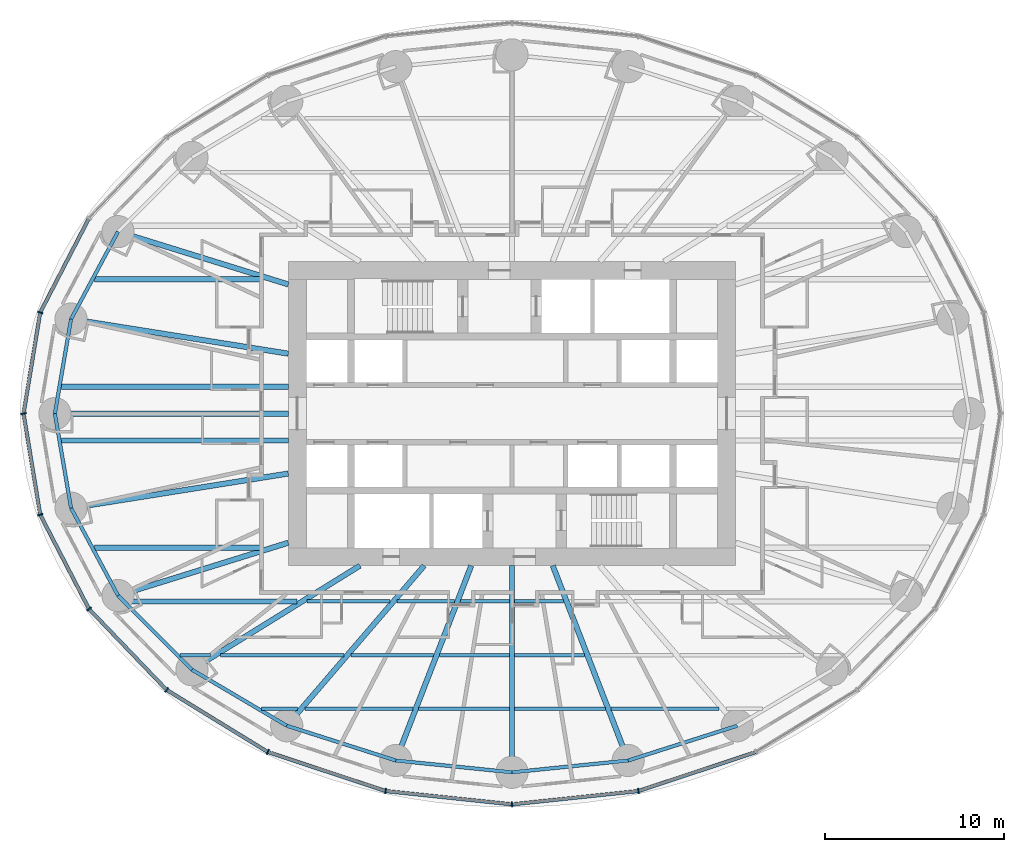
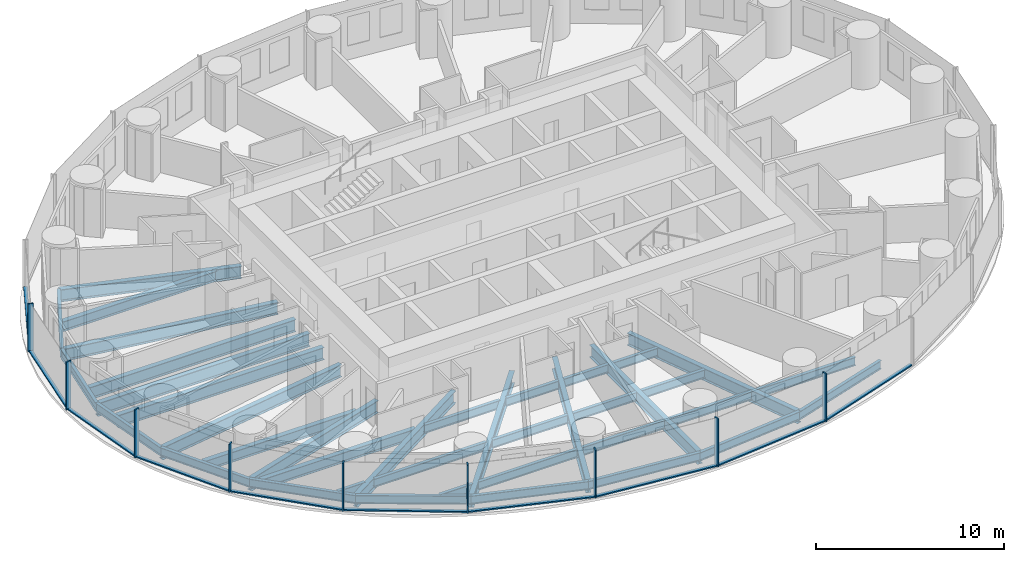
# One storey, part 2 of 14: 39 beams, 19 members, 3 elements without a shape of their own.
"""IFC4 building model written with IfcOpenShell, lengths in metres."""

from ifc_helpers import new_model, si_unit, direction, frame, origin, origin_2d, place, context, subcontext, project, spatial, rectangle, i_section, extrude, material, material_profile, profile_set, type_object, element, aggregate, save


model = new_model("IFC4")

# Units and contexts
model_context = context("Model", 3, precision=1e-05, world=origin(), true_north=direction((0.0, 1.0)))
body_context = subcontext(model_context, "Body", "Model", "MODEL_VIEW")
ifc_project = project(units=[si_unit("LENGTHUNIT", "METRE"), si_unit("AREAUNIT", "SQUARE_METRE"), si_unit("VOLUMEUNIT", "CUBIC_METRE"), si_unit("PLANEANGLEUNIT", "RADIAN"), si_unit("MASSUNIT", "GRAM", prefix="KILO")], contexts=[model_context])

# Site, building, storey
site_placement = place(None, origin())
site = spatial("IfcSite", under=ifc_project, at=site_placement, CompositionType="ELEMENT")
building_placement = place(site_placement, origin())
building = spatial("IfcBuilding", under=site, at=building_placement, Name="Hankou Lantern Tower", CompositionType="ELEMENT")
storey_placement = place(building_placement, frame((0.0, 0.0, 32.699951171875)))
storey = spatial("IfcBuildingStorey", under=building, at=storey_placement, Name="L06", CompositionType="ELEMENT", Elevation=32.699951171875)

# Beams
ifc_material_1 = material(Name="Steel Q355B", Category="steel")
ifc_material_profile_1 = material_profile(ifc_material_1, i_section(OverallWidth=0.199951171875, OverallDepth=0.550048828125, WebThickness=0.010009765625, FlangeThickness=0.01611328125, FilletRadius=0.012939453125, at=origin_2d()), Name="HN550x200x10x16")
ifc_profile_set_1 = profile_set([ifc_material_profile_1], Name="Steel Q355B")
beam_type_1 = type_object("IfcBeamType", Name="EB6 RING BEAM HN550x200x10x16", PredefinedType="SPANDREL", material=ifc_profile_set_1)
beam_1_placement = place(storey_placement, frame((-22.01904296875, 10.170166015625, -0.454833984375), z_axis=(-0.473609096023, -0.880735161194, 0.0), x_axis=(0.880735161194, -0.473609096023, 0.0)))
element("IfcBeam", 1, at=beam_1_placement, inside=storey, type_object=beam_type_1, Name="Ring beam R11-R12 L06", PredefinedType="SPANDREL", context=body_context, shape_type="SweptSolid", body=[
    extrude(i_section(OverallWidth=0.199951171875, OverallDepth=0.550048828125, WebThickness=0.010009765625, FlangeThickness=0.01611328125, FilletRadius=0.012939453125, at=origin_2d()), origin(), (0.0, 0.0, 1.0), 5.548828125),
])
for number, where, z_axis, x_axis, name in (
    (2, (-24.64697265625, 5.283203125, -0.454833984375), (-0.168489691988, -0.985703415685, 0.0), (0.985703415685, -0.168489691988, 0.0), "Ring beam R12-R13 L06"),
    (3, (-25.550048828125, 0.0, -0.454833984375), (0.168489691988, -0.985703415685, 0.0), (0.985703415685, 0.168489691988, 0.0), "Ring beam R13-R14 L06"),
):
    element("IfcBeam", number, at=place(storey_placement, frame(where, z_axis=z_axis, x_axis=x_axis)), inside=storey, type_object=beam_type_1, Name=name, PredefinedType="SPANDREL", context=body_context, shape_type="SweptSolid", body=[
        extrude(i_section(OverallWidth=0.199951171875, OverallDepth=0.550048828125, WebThickness=0.010009765625, FlangeThickness=0.01611328125, FilletRadius=0.012939453125, at=origin_2d()), origin(), (0.0, 0.0, 1.0), 5.35986328125),
    ])
beam_2_placement = place(storey_placement, frame((-24.64697265625, -5.283203125, -0.454833984375), z_axis=(0.473609096023, -0.880735161194, 0.0), x_axis=(0.880735161194, 0.473609096023, 0.0)))
element("IfcBeam", 4, at=beam_2_placement, inside=storey, type_object=beam_type_1, Name="Ring beam R14-R15 L06", PredefinedType="SPANDREL", context=body_context, shape_type="SweptSolid", body=[
    extrude(i_section(OverallWidth=0.199951171875, OverallDepth=0.550048828125, WebThickness=0.010009765625, FlangeThickness=0.01611328125, FilletRadius=0.012939453125, at=origin_2d()), origin(), (0.0, 0.0, 1.0), 5.548828125),
])
beam_3_placement = place(storey_placement, frame((-22.01904296875, -10.170166015625, -0.454833984375), z_axis=(0.705727798394, -0.708483079949, 0.0), x_axis=(0.708483079949, 0.705727798394, 0.0)))
element("IfcBeam", 5, at=beam_3_placement, inside=storey, type_object=beam_type_1, Name="Ring beam R15-R16 L06", PredefinedType="SPANDREL", context=body_context, shape_type="SweptSolid", body=[
    extrude(i_section(OverallWidth=0.199951171875, OverallDepth=0.550048828125, WebThickness=0.010009765625, FlangeThickness=0.01611328125, FilletRadius=0.012939453125, at=origin_2d()), origin(), (0.0, 0.0, 1.0), 5.84814453125),
])
beam_4_placement = place(storey_placement, frame((-17.891845703125, -14.3134765625, -0.454833984375), z_axis=(0.860881533543, -0.508805449268, 0.0), x_axis=(0.508805449268, 0.860881533543, 0.0)))
element("IfcBeam", 6, at=beam_4_placement, inside=storey, type_object=beam_type_1, Name="Ring beam R16-R17 L06", PredefinedType="SPANDREL", context=body_context, shape_type="SweptSolid", body=[
    extrude(i_section(OverallWidth=0.199951171875, OverallDepth=0.550048828125, WebThickness=0.010009765625, FlangeThickness=0.01611328125, FilletRadius=0.012939453125, at=origin_2d()), origin(), (0.0, 0.0, 1.0), 6.15771484375),
])
beam_5_placement = place(storey_placement, frame((-12.5908203125, -17.446533203125, -0.454833984375), z_axis=(0.952690479428, -0.303942182671, 0.0), x_axis=(0.303942182671, 0.952690479428, 0.0)))
element("IfcBeam", 7, at=beam_5_placement, inside=storey, type_object=beam_type_1, Name="Ring beam R17-R18 L06", PredefinedType="SPANDREL", context=body_context, shape_type="SweptSolid", body=[
    extrude(i_section(OverallWidth=0.199951171875, OverallDepth=0.550048828125, WebThickness=0.010009765625, FlangeThickness=0.01611328125, FilletRadius=0.012939453125, at=origin_2d()), origin(), (0.0, 0.0, 1.0), 6.398681640625),
])
for number, where, z_axis, x_axis, name in (
    (8, (-6.494873046875, -19.391357421875, -0.454833984375), (0.994896616842, -0.100899562915, 0.0), (0.100899562915, 0.994896616842, 0.0), "Ring beam R18-R19 L06"),
    (9, (0.0, -20.050048828125, -0.454833984375), (0.994896616842, 0.100899562915, 0.0), (-0.100899562915, 0.994896616842, 0.0), "Ring beam R19-R20 L06"),
):
    element("IfcBeam", number, at=place(storey_placement, frame(where, z_axis=z_axis, x_axis=x_axis)), inside=storey, type_object=beam_type_1, Name=name, PredefinedType="SPANDREL", context=body_context, shape_type="SweptSolid", body=[
        extrude(i_section(OverallWidth=0.199951171875, OverallDepth=0.550048828125, WebThickness=0.010009765625, FlangeThickness=0.01611328125, FilletRadius=0.012939453125, at=origin_2d()), origin(), (0.0, 0.0, 1.0), 6.528076171875),
    ])
beam_6_placement = place(storey_placement, frame((6.494873046875, -19.391357421875, -0.454833984375), z_axis=(0.952690479428, 0.303942182671, 0.0), x_axis=(-0.303942182671, 0.952690479428, 0.0)))
element("IfcBeam", 10, at=beam_6_placement, inside=storey, type_object=beam_type_1, Name="Ring beam R20-R21 L06", PredefinedType="SPANDREL", context=body_context, shape_type="SweptSolid", body=[
    extrude(i_section(OverallWidth=0.199951171875, OverallDepth=0.550048828125, WebThickness=0.010009765625, FlangeThickness=0.01611328125, FilletRadius=0.012939453125, at=origin_2d()), origin(), (0.0, 0.0, 1.0), 6.398681640625),
])

# Curtain wall, member
ifc_material_2 = material(Name="Glass, dark grey tinted laminated", Category="glass")
curtain_wall_type = type_object("IfcCurtainWallType", Name="CWA OUTER SKIN LOW-RISE", PredefinedType="USERDEFINED", material=ifc_material_2)
curtain_wall_1_placement = place(storey_placement, origin())
curtain_wall_1 = element("IfcCurtainWall", 11, at=curtain_wall_1_placement, inside=storey, type_object=curtain_wall_type, Name="CWA L06 OS2", ObjectType="OUTER SKIN LOW-RISE", PredefinedType="USERDEFINED")
ifc_material_3 = material(Name="Aluminium, black anodised", Category="aluminium")
ifc_material_profile_2 = material_profile(ifc_material_3, rectangle(XDim=0.080078125, YDim=0.300048828125, at=origin_2d()), Name="MU1 80X300")
ifc_profile_set_2 = profile_set([ifc_material_profile_2], Name="Aluminium, black anodised")
member_type_1 = type_object("IfcMemberType", Name="MU1 OUTER SKIN MULLION 80X300", PredefinedType="MULLION", material=ifc_profile_set_2)
member_1_placement = place(storey_placement, frame((-26.369873046875, 5.652587890625, 0.0), z_axis=(0.0, 0.0, 1.0), x_axis=(-0.317595577365, -0.94822626479, 0.0)))
member_1 = element("IfcMember", 12, at=member_1_placement, type_object=member_type_1, Name="CWA mullion 6", PredefinedType="MULLION", context=body_context, shape_type="SweptSolid", body=[
    extrude(rectangle(XDim=0.080078125, YDim=0.300048828125, at=origin_2d()), origin(), (0.0, 0.0, 1.0), 3.1201171875),
])

# Curtain wall, members
curtain_wall_2_placement = place(storey_placement, origin())
curtain_wall_2 = element("IfcCurtainWall", 13, at=curtain_wall_2_placement, inside=storey, type_object=curtain_wall_type, Name="CWA L06 OS3", ObjectType="OUTER SKIN LOW-RISE", PredefinedType="USERDEFINED")
member_2_placement = place(storey_placement, frame((-27.300048828125, 0.0, 0.0), z_axis=(0.0, 0.0, 1.0), x_axis=(0.162381515188, -0.986728049427, 0.0)))
member_2 = element("IfcMember", 14, at=member_2_placement, type_object=member_type_1, Name="CWA mullion 1", PredefinedType="MULLION", context=body_context, shape_type="SweptSolid", body=[
    extrude(rectangle(XDim=0.080078125, YDim=0.300048828125, at=origin_2d()), origin(), (0.0, 0.0, 1.0), 3.1201171875),
])
member_3_placement = place(storey_placement, frame((-26.369873046875, -5.652587890625, 0.0), z_axis=(0.0, 0.0, 1.0), x_axis=(0.317595577365, -0.94822626479, 0.0)))
member_3 = element("IfcMember", 15, at=member_3_placement, type_object=member_type_1, Name="CWA mullion 2", PredefinedType="MULLION", context=body_context, shape_type="SweptSolid", body=[
    extrude(rectangle(XDim=0.080078125, YDim=0.300048828125, at=origin_2d()), origin(), (0.0, 0.0, 1.0), 3.1201171875),
])
member_4_placement = place(storey_placement, frame((-23.642578125, -10.919921875, 0.0), z_axis=(0.0, 0.0, 1.0), x_axis=(0.585205735974, -0.810884854084, 0.0)))
member_4 = element("IfcMember", 16, at=member_4_placement, type_object=member_type_1, Name="CWA mullion 3", PredefinedType="MULLION", context=body_context, shape_type="SweptSolid", body=[
    extrude(rectangle(XDim=0.080078125, YDim=0.300048828125, at=origin_2d()), origin(), (0.0, 0.0, 1.0), 3.1201171875),
])
member_5_placement = place(storey_placement, frame((-19.303955078125, -15.443115234375, 0.0), z_axis=(0.0, 0.0, 1.0), x_axis=(0.780868809444, -0.624695047553, 0.0)))
member_5 = element("IfcMember", 17, at=member_5_placement, type_object=member_type_1, Name="CWA mullion 4", PredefinedType="MULLION", context=body_context, shape_type="SweptSolid", body=[
    extrude(rectangle(XDim=0.080078125, YDim=0.300048828125, at=origin_2d()), origin(), (0.0, 0.0, 1.0), 3.1201171875),
])
member_6_placement = place(storey_placement, frame((-13.64990234375, -18.9140625, 0.0), z_axis=(0.0, 0.0, 1.0), x_axis=(0.907841299004, -0.419313934686, 0.0)))
member_6 = element("IfcMember", 18, at=member_6_placement, type_object=member_type_1, Name="CWA mullion 5", PredefinedType="MULLION", context=body_context, shape_type="SweptSolid", body=[
    extrude(rectangle(XDim=0.080078125, YDim=0.300048828125, at=origin_2d()), origin(), (0.0, 0.0, 1.0), 3.1201171875),
])
member_7_placement = place(storey_placement, frame((-7.065673828125, -21.095703125, 0.0), z_axis=(0.0, 0.0, 1.0), x_axis=(0.977787659625, -0.209597931016, 0.0)))
member_7 = element("IfcMember", 19, at=member_7_placement, type_object=member_type_1, Name="CWA mullion 6", PredefinedType="MULLION", context=body_context, shape_type="SweptSolid", body=[
    extrude(rectangle(XDim=0.080078125, YDim=0.300048828125, at=origin_2d()), origin(), (0.0, 0.0, 1.0), 3.1201171875),
])

curtain_wall_3_placement = place(storey_placement, origin())
curtain_wall_3 = element("IfcCurtainWall", 20, at=curtain_wall_3_placement, inside=storey, type_object=curtain_wall_type, Name="CWA L06 OS4", ObjectType="OUTER SKIN LOW-RISE", PredefinedType="USERDEFINED")
member_8_placement = place(storey_placement, frame((0.0, -21.840087890625, 0.0), z_axis=(0.0, 0.0, 1.0), x_axis=(0.994499359107, 0.104742659579, 0.0)))
member_8 = element("IfcMember", 21, at=member_8_placement, type_object=member_type_1, Name="CWA mullion 1", PredefinedType="MULLION", context=body_context, shape_type="SweptSolid", body=[
    extrude(rectangle(XDim=0.080078125, YDim=0.300048828125, at=origin_2d()), origin(), (0.0, 0.0, 1.0), 3.1201171875),
])
member_9_placement = place(storey_placement, frame((7.065673828125, -21.095703125, 0.0), z_axis=(0.0, 0.0, 1.0), x_axis=(0.977787659625, 0.209597931016, 0.0)))
member_9 = element("IfcMember", 22, at=member_9_placement, type_object=member_type_1, Name="CWA mullion 2", PredefinedType="MULLION", context=body_context, shape_type="SweptSolid", body=[
    extrude(rectangle(XDim=0.080078125, YDim=0.300048828125, at=origin_2d()), origin(), (0.0, 0.0, 1.0), 3.1201171875),
])

# Beams
ifc_material_4 = material(Name="Steel Q355B", Category="steel")
ifc_material_profile_3 = material_profile(ifc_material_4, i_section(OverallWidth=0.300048828125, OverallDepth=0.800048828125, WebThickness=0.013916015625, FlangeThickness=0.02587890625, FilletRadius=0.01806640625, at=origin_2d()), Name="HN800x300x14x26")
ifc_profile_set_3 = profile_set([ifc_material_profile_3], Name="Steel Q355B")
beam_type_2 = type_object("IfcBeamType", Name="RB11 RADIAL BEAM HN800x300x14x26", PredefinedType="BEAM", material=ifc_profile_set_3)
beam_7_placement = place(storey_placement, frame((-12.5, 7.216796875, -0.579833984375), z_axis=(-0.955087327755, 0.29632447817, 0.0), x_axis=(-0.29632447817, -0.955087327755, 0.0)))
element("IfcBeam", 23, at=beam_7_placement, inside=storey, type_object=beam_type_2, Name="Radial beam R11 L06", PredefinedType="BEAM", context=body_context, shape_type="SweptSolid", body=[
    extrude(i_section(OverallWidth=0.300048828125, OverallDepth=0.800048828125, WebThickness=0.013916015625, FlangeThickness=0.02587890625, FilletRadius=0.01806640625, at=origin_2d()), origin(), (0.0, 0.0, 1.0), 9.966552734375),
])
for number, where, z_axis, x_axis, name in (
    (24, (-12.5, 3.349365234375, -0.579833984375), (-0.987563081343, 0.157223281893, 0.0), (-0.157223281893, -0.987563081343, 0.0), "Radial beam R12 L06"),
    (25, (-12.5, -3.349365234375, -0.579833984375), (-0.987563081343, -0.157223281893, 0.0), (0.157223281893, -0.987563081343, 0.0), "Radial beam R14 L06"),
):
    element("IfcBeam", number, at=place(storey_placement, frame(where, z_axis=z_axis, x_axis=x_axis)), inside=storey, type_object=beam_type_2, Name=name, PredefinedType="BEAM", context=body_context, shape_type="SweptSolid", body=[
        extrude(i_section(OverallWidth=0.300048828125, OverallDepth=0.800048828125, WebThickness=0.013916015625, FlangeThickness=0.02587890625, FilletRadius=0.01806640625, at=origin_2d()), origin(), (0.0, 0.0, 1.0), 12.300048828125),
    ])
beam_8_placement = place(storey_placement, frame((-12.5, -7.216796875, -0.579833984375), z_axis=(-0.955087327755, -0.29632447817, 0.0), x_axis=(0.29632447817, -0.955087327755, 0.0)))
element("IfcBeam", 26, at=beam_8_placement, inside=storey, type_object=beam_type_2, Name="Radial beam R15 L06", PredefinedType="BEAM", context=body_context, shape_type="SweptSolid", body=[
    extrude(i_section(OverallWidth=0.300048828125, OverallDepth=0.800048828125, WebThickness=0.013916015625, FlangeThickness=0.02587890625, FilletRadius=0.01806640625, at=origin_2d()), origin(), (0.0, 0.0, 1.0), 9.966552734375),
])
beam_9_placement = place(storey_placement, frame((-8.5, -8.5, -0.579833984375), z_axis=(-0.850286343288, -0.526320372414, 0.0), x_axis=(0.526320372414, -0.850286343288, 0.0)))
element("IfcBeam", 27, at=beam_9_placement, inside=storey, type_object=beam_type_2, Name="Radial beam R16 L06", PredefinedType="BEAM", context=body_context, shape_type="SweptSolid", body=[
    extrude(i_section(OverallWidth=0.300048828125, OverallDepth=0.800048828125, WebThickness=0.013916015625, FlangeThickness=0.02587890625, FilletRadius=0.01806640625, at=origin_2d()), origin(), (0.0, 0.0, 1.0), 11.04541015625),
])
beam_10_placement = place(storey_placement, frame((-4.907470703125, -8.5, -0.579833984375), z_axis=(-0.651519061225, -0.758632264579, 0.0), x_axis=(0.758632264579, -0.651519061225, 0.0)))
element("IfcBeam", 28, at=beam_10_placement, inside=storey, type_object=beam_type_2, Name="Radial beam R17 L06", PredefinedType="BEAM", context=body_context, shape_type="SweptSolid", body=[
    extrude(i_section(OverallWidth=0.300048828125, OverallDepth=0.800048828125, WebThickness=0.013916015625, FlangeThickness=0.02587890625, FilletRadius=0.01806640625, at=origin_2d()), origin(), (0.0, 0.0, 1.0), 11.79296875),
])
beam_11_placement = place(storey_placement, frame((-2.277587890625, -8.5, -0.579833984375), z_axis=(-0.361089103374, -0.932531318201, 0.0), x_axis=(0.932531318201, -0.361089103374, 0.0)))
element("IfcBeam", 29, at=beam_11_placement, inside=storey, type_object=beam_type_2, Name="Radial beam R18 L06", PredefinedType="BEAM", context=body_context, shape_type="SweptSolid", body=[
    extrude(i_section(OverallWidth=0.300048828125, OverallDepth=0.800048828125, WebThickness=0.013916015625, FlangeThickness=0.02587890625, FilletRadius=0.01806640625, at=origin_2d()), origin(), (0.0, 0.0, 1.0), 11.679443359375),
])
beam_12_placement = place(storey_placement, frame((0.0, -8.5, -0.579833984375), z_axis=(0.0, -1.0, 0.0), x_axis=(1.0, 0.0, 0.0)))
element("IfcBeam", 30, at=beam_12_placement, inside=storey, type_object=beam_type_2, Name="Radial beam R19 L06", PredefinedType="BEAM", context=body_context, shape_type="SweptSolid", body=[
    extrude(i_section(OverallWidth=0.300048828125, OverallDepth=0.800048828125, WebThickness=0.013916015625, FlangeThickness=0.02587890625, FilletRadius=0.01806640625, at=origin_2d()), origin(), (0.0, 0.0, 1.0), 11.550048828125),
])
beam_13_placement = place(storey_placement, frame((2.277587890625, -8.5, -0.579833984375), z_axis=(0.361089103374, -0.932531318201, 0.0), x_axis=(0.932531318201, 0.361089103374, 0.0)))
element("IfcBeam", 31, at=beam_13_placement, inside=storey, type_object=beam_type_2, Name="Radial beam R20 L06", PredefinedType="BEAM", context=body_context, shape_type="SweptSolid", body=[
    extrude(i_section(OverallWidth=0.300048828125, OverallDepth=0.800048828125, WebThickness=0.013916015625, FlangeThickness=0.02587890625, FilletRadius=0.01806640625, at=origin_2d()), origin(), (0.0, 0.0, 1.0), 11.679443359375),
])
ifc_material_5 = material(Name="Steel Q355B", Category="steel")
ifc_material_profile_4 = material_profile(ifc_material_5, i_section(OverallWidth=0.300048828125, OverallDepth=0.85009765625, WebThickness=0.01611328125, FlangeThickness=0.027099609375, FilletRadius=0.01806640625, at=origin_2d()), Name="HN850x300x16x27")
ifc_profile_set_4 = profile_set([ifc_material_profile_4], Name="Steel Q355B")
beam_type_3 = type_object("IfcBeamType", Name="RB12 RADIAL BEAM HN850x300x16x27", PredefinedType="BEAM", material=ifc_profile_set_4)
beam_14_placement = place(storey_placement, frame((-12.5, 0.0, -0.60498046875), z_axis=(-1.0, 0.0, 0.0), x_axis=(0.0, -1.0, 0.0)))
element("IfcBeam", 32, at=beam_14_placement, inside=storey, type_object=beam_type_3, Name="Radial beam R13 L06", PredefinedType="BEAM", context=body_context, shape_type="SweptSolid", body=[
    extrude(i_section(OverallWidth=0.300048828125, OverallDepth=0.85009765625, WebThickness=0.01611328125, FlangeThickness=0.027099609375, FilletRadius=0.01806640625, at=origin_2d()), origin(), (0.0, 0.0, 1.0), 13.050048828125),
])
ifc_material_6 = material(Name="Steel Q355B", Category="steel")
ifc_material_profile_5 = material_profile(ifc_material_6, i_section(OverallWidth=0.300048828125, OverallDepth=0.800048828125, WebThickness=0.013916015625, FlangeThickness=0.02587890625, FilletRadius=0.01806640625, at=origin_2d()), Name="HN800x300x14x26")
ifc_profile_set_5 = profile_set([ifc_material_profile_5], Name="Steel Q355B")
beam_type_4 = type_object("IfcBeamType", Name="SB11 SECONDARY BEAM HN800x300x14x26", PredefinedType="JOIST", material=ifc_profile_set_5)
for number, where, z_axis, x_axis, name in (
    (33, (-25.192138671875, -1.5, -0.579833984375), (1.0, 0.0, 0.0), (0.0, 1.0, 0.0), "Floor joist J029 L06"),
    (34, (-25.192138671875, 1.5, -0.579833984375), (1.0, 0.0, 0.0), (0.0, 1.0, 0.0), "Floor joist J031 L06"),
):
    element("IfcBeam", number, at=place(storey_placement, frame(where, z_axis=z_axis, x_axis=x_axis)), inside=storey, type_object=beam_type_4, Name=name, PredefinedType="JOIST", context=body_context, shape_type="SweptSolid", body=[
        extrude(i_section(OverallWidth=0.300048828125, OverallDepth=0.800048828125, WebThickness=0.013916015625, FlangeThickness=0.02587890625, FilletRadius=0.01806640625, at=origin_2d()), origin(), (0.0, 0.0, 1.0), 12.692138671875),
    ])
ifc_material_7 = material(Name="Steel Q355B", Category="steel")
ifc_material_profile_6 = material_profile(ifc_material_7, i_section(OverallWidth=0.199951171875, OverallDepth=0.550048828125, WebThickness=0.010009765625, FlangeThickness=0.01611328125, FilletRadius=0.012939453125, at=origin_2d()), Name="HN550x200x10x16")
ifc_profile_set_6 = profile_set([ifc_material_profile_6], Name="Steel Q355B")
beam_type_5 = type_object("IfcBeamType", Name="SB6 SECONDARY BEAM HN550x200x10x16", PredefinedType="JOIST", material=ifc_profile_set_6)
beam_15_placement = place(storey_placement, frame((-13.99560546875, -16.5, -0.454833984375), z_axis=(1.0, 0.0, 0.0), x_axis=(0.0, 1.0, 0.0)))
element("IfcBeam", 35, at=beam_15_placement, inside=storey, type_object=beam_type_5, Name="Floor joist J001 L06", PredefinedType="JOIST", context=body_context, shape_type="SweptSolid", body=[
    extrude(i_section(OverallWidth=0.199951171875, OverallDepth=0.550048828125, WebThickness=0.010009765625, FlangeThickness=0.01611328125, FilletRadius=0.012939453125, at=origin_2d()), origin(), (0.0, 0.0, 1.0), 2.019775390625),
])
beam_16_placement = place(storey_placement, frame((-11.580322265625, -16.5, -0.454833984375), z_axis=(1.0, 0.0, 0.0), x_axis=(0.0, 1.0, 0.0)))
element("IfcBeam", 36, at=beam_16_placement, inside=storey, type_object=beam_type_5, Name="Floor joist J002 L06", PredefinedType="JOIST", context=body_context, shape_type="SweptSolid", body=[
    extrude(i_section(OverallWidth=0.199951171875, OverallDepth=0.550048828125, WebThickness=0.010009765625, FlangeThickness=0.01611328125, FilletRadius=0.012939453125, at=origin_2d()), origin(), (0.0, 0.0, 1.0), 6.044189453125),
])
for number, where, z_axis, x_axis, name in (
    (37, (-5.21435546875, -16.5, -0.454833984375), (1.0, 0.0, 0.0), (0.0, 1.0, 0.0), "Floor joist J003 L06"),
    (38, (0.14990234375, -16.5, -0.454833984375), (1.0, 0.0, 0.0), (0.0, 1.0, 0.0), "Floor joist J004 L06"),
):
    element("IfcBeam", number, at=place(storey_placement, frame(where, z_axis=z_axis, x_axis=x_axis)), inside=storey, type_object=beam_type_5, Name=name, PredefinedType="JOIST", context=body_context, shape_type="SweptSolid", body=[
        extrude(i_section(OverallWidth=0.199951171875, OverallDepth=0.550048828125, WebThickness=0.010009765625, FlangeThickness=0.01611328125, FilletRadius=0.012939453125, at=origin_2d()), origin(), (0.0, 0.0, 1.0), 5.064453125),
    ])
beam_17_placement = place(storey_placement, frame((5.5361328125, -16.5, -0.454833984375), z_axis=(1.0, 0.0, 0.0), x_axis=(0.0, 1.0, 0.0)))
element("IfcBeam", 39, at=beam_17_placement, inside=storey, type_object=beam_type_5, Name="Floor joist J005 L06", PredefinedType="JOIST", context=body_context, shape_type="SweptSolid", body=[
    extrude(i_section(OverallWidth=0.199951171875, OverallDepth=0.550048828125, WebThickness=0.010009765625, FlangeThickness=0.01611328125, FilletRadius=0.012939453125, at=origin_2d()), origin(), (0.0, 0.0, 1.0), 6.044189453125),
])
beam_18_placement = place(storey_placement, frame((-18.560791015625, -13.5, -0.454833984375), z_axis=(1.0, 0.0, 0.0), x_axis=(0.0, 1.0, 0.0)))
element("IfcBeam", 40, at=beam_18_placement, inside=storey, type_object=beam_type_5, Name="Floor joist J007 L06", PredefinedType="JOIST", context=body_context, shape_type="SweptSolid", body=[
    extrude(i_section(OverallWidth=0.199951171875, OverallDepth=0.550048828125, WebThickness=0.010009765625, FlangeThickness=0.01611328125, FilletRadius=0.012939453125, at=origin_2d()), origin(), (0.0, 0.0, 1.0), 1.697998046875),
])
beam_19_placement = place(storey_placement, frame((-16.292724609375, -13.5, -0.454833984375), z_axis=(1.0, 0.0, 0.0), x_axis=(0.0, 1.0, 0.0)))
element("IfcBeam", 41, at=beam_19_placement, inside=storey, type_object=beam_type_5, Name="Floor joist J008 L06", PredefinedType="JOIST", context=body_context, shape_type="SweptSolid", body=[
    extrude(i_section(OverallWidth=0.199951171875, OverallDepth=0.550048828125, WebThickness=0.010009765625, FlangeThickness=0.01611328125, FilletRadius=0.012939453125, at=origin_2d()), origin(), (0.0, 0.0, 1.0), 6.893310546875),
])
beam_20_placement = place(storey_placement, frame((-9.00390625, -13.5, -0.454833984375), z_axis=(1.0, 0.0, 0.0), x_axis=(0.0, 1.0, 0.0)))
element("IfcBeam", 42, at=beam_20_placement, inside=storey, type_object=beam_type_5, Name="Floor joist J009 L06", PredefinedType="JOIST", context=body_context, shape_type="SweptSolid", body=[
    extrude(i_section(OverallWidth=0.199951171875, OverallDepth=0.550048828125, WebThickness=0.010009765625, FlangeThickness=0.01611328125, FilletRadius=0.012939453125, at=origin_2d()), origin(), (0.0, 0.0, 1.0), 4.62939453125),
])
for number, where, z_axis, x_axis, name in (
    (43, (-4.052734375, -13.5, -0.454833984375), (1.0, 0.0, 0.0), (0.0, 1.0, 0.0), "Floor joist J010 L06"),
    (44, (0.14990234375, -13.5, -0.454833984375), (1.0, 0.0, 0.0), (0.0, 1.0, 0.0), "Floor joist J011 L06"),
):
    element("IfcBeam", number, at=place(storey_placement, frame(where, z_axis=z_axis, x_axis=x_axis)), inside=storey, type_object=beam_type_5, Name=name, PredefinedType="JOIST", context=body_context, shape_type="SweptSolid", body=[
        extrude(i_section(OverallWidth=0.199951171875, OverallDepth=0.550048828125, WebThickness=0.010009765625, FlangeThickness=0.01611328125, FilletRadius=0.012939453125, at=origin_2d()), origin(), (0.0, 0.0, 1.0), 3.90283203125),
    ])
beam_21_placement = place(storey_placement, frame((-11.446044921875, -10.5, -0.454833984375), z_axis=(1.0, 0.0, 0.0), x_axis=(0.0, 1.0, 0.0)))
element("IfcBeam", 45, at=beam_21_placement, inside=storey, type_object=beam_type_5, Name="Floor joist J016 L06", PredefinedType="JOIST", context=body_context, shape_type="SweptSolid", body=[
    extrude(i_section(OverallWidth=0.199951171875, OverallDepth=0.550048828125, WebThickness=0.010009765625, FlangeThickness=0.01611328125, FilletRadius=0.012939453125, at=origin_2d()), origin(), (0.0, 0.0, 1.0), 4.623291015625),
])
beam_22_placement = place(storey_placement, frame((-6.427490234375, -10.5, -0.454833984375), z_axis=(1.0, 0.0, 0.0), x_axis=(0.0, 1.0, 0.0)))
element("IfcBeam", 46, at=beam_22_placement, inside=storey, type_object=beam_type_5, Name="Floor joist J017 L06", PredefinedType="JOIST", context=body_context, shape_type="SweptSolid", body=[
    extrude(i_section(OverallWidth=0.199951171875, OverallDepth=0.550048828125, WebThickness=0.010009765625, FlangeThickness=0.01611328125, FilletRadius=0.012939453125, at=origin_2d()), origin(), (0.0, 0.0, 1.0), 3.214599609375),
])
for number, where, z_axis, x_axis, name in (
    (47, (-2.89111328125, -10.5, -0.454833984375), (1.0, 0.0, 0.0), (0.0, 1.0, 0.0), "Floor joist J018 L06"),
    (48, (0.14990234375, -10.5, -0.454833984375), (1.0, 0.0, 0.0), (0.0, 1.0, 0.0), "Floor joist J019 L06"),
):
    element("IfcBeam", number, at=place(storey_placement, frame(where, z_axis=z_axis, x_axis=x_axis)), inside=storey, type_object=beam_type_5, Name=name, PredefinedType="JOIST", context=body_context, shape_type="SweptSolid", body=[
        extrude(i_section(OverallWidth=0.199951171875, OverallDepth=0.550048828125, WebThickness=0.010009765625, FlangeThickness=0.01611328125, FilletRadius=0.012939453125, at=origin_2d()), origin(), (0.0, 0.0, 1.0), 2.7412109375),
    ])
ifc_material_8 = material(Name="Steel Q355B", Category="steel")
ifc_material_profile_7 = material_profile(ifc_material_8, i_section(OverallWidth=0.300048828125, OverallDepth=0.64990234375, WebThickness=0.010986328125, FlangeThickness=0.01708984375, FilletRadius=0.01806640625, at=origin_2d()), Name="HN650x300x11x17")
ifc_profile_set_7 = profile_set([ifc_material_profile_7], Name="Steel Q355B")
beam_type_6 = type_object("IfcBeamType", Name="SB8 SECONDARY BEAM HN650x300x11x17", PredefinedType="JOIST", material=ifc_profile_set_7)
beam_23_placement = place(storey_placement, frame((-21.54931640625, -10.5, -0.5048828125), z_axis=(1.0, 0.0, 0.0), x_axis=(0.0, 1.0, 0.0)))
element("IfcBeam", 49, at=beam_23_placement, inside=storey, type_object=beam_type_6, Name="Floor joist J015 L06", PredefinedType="JOIST", context=body_context, shape_type="SweptSolid", body=[
    extrude(i_section(OverallWidth=0.300048828125, OverallDepth=0.64990234375, WebThickness=0.010986328125, FlangeThickness=0.01708984375, FilletRadius=0.01806640625, at=origin_2d()), origin(), (0.0, 0.0, 1.0), 9.533203125),
])
for number, where, z_axis, x_axis, name in (
    (50, (-23.341552734375, -7.5, -0.5048828125), (1.0, 0.0, 0.0), (0.0, 1.0, 0.0), "Floor joist J023 L06"),
    (51, (-23.341552734375, 7.5, -0.5048828125), (1.0, 0.0, 0.0), (0.0, 1.0, 0.0), "Floor joist J037 L06"),
):
    element("IfcBeam", number, at=place(storey_placement, frame(where, z_axis=z_axis, x_axis=x_axis)), inside=storey, type_object=beam_type_6, Name=name, PredefinedType="JOIST", context=body_context, shape_type="SweptSolid", body=[
        extrude(i_section(OverallWidth=0.300048828125, OverallDepth=0.64990234375, WebThickness=0.010986328125, FlangeThickness=0.01708984375, FilletRadius=0.01806640625, at=origin_2d()), origin(), (0.0, 0.0, 1.0), 9.4228515625),
    ])

# Member
ifc_material_9 = material(Name="Aluminium, black anodised", Category="aluminium")
ifc_material_profile_8 = material_profile(ifc_material_9, rectangle(XDim=0.199951171875, YDim=0.080078125, at=origin_2d()), Name="TR1 200X80")
ifc_profile_set_8 = profile_set([ifc_material_profile_8], Name="Aluminium, black anodised")
member_type_2 = type_object("IfcMemberType", Name="TR1 OUTER SKIN TRANSOM 200X80", PredefinedType="USERDEFINED", material=ifc_profile_set_8)
member_10_placement = place(storey_placement, frame((-23.660888671875, 10.884521484375, 0.0400390625), z_axis=(-0.459786096495, -0.888029698529, 0.0), x_axis=(0.888029698529, -0.459786096495, 0.0)))
member_10 = element("IfcMember", 52, at=member_10_placement, type_object=member_type_2, Name="CWA transom 5", ObjectType="TRANSOM", PredefinedType="USERDEFINED", context=body_context, shape_type="SweptSolid", body=[
    extrude(rectangle(XDim=0.199951171875, YDim=0.080078125, at=origin_2d()), origin(), (0.0, 0.0, 1.0), 5.8515625),
])

member_11_placement = place(storey_placement, frame((-26.376220703125, 5.613037109375, 0.0400390625), z_axis=(-0.162387045529, -0.986727139307, 0.0), x_axis=(0.986727139307, -0.162387045529, 0.0)))
member_11 = element("IfcMember", 53, at=member_11_placement, type_object=member_type_2, Name="CWA transom 6", ObjectType="TRANSOM", PredefinedType="USERDEFINED", context=body_context, shape_type="SweptSolid", body=[
    extrude(rectangle(XDim=0.199951171875, YDim=0.080078125, at=origin_2d()), origin(), (0.0, 0.0, 1.0), 5.6484375),
])

aggregate(curtain_wall_1, [member_1, member_10, member_11])

member_12_placement = place(storey_placement, frame((-27.29345703125, -0.03955078125, 0.0400390625), z_axis=(0.162387045529, -0.986727139307, 0.0), x_axis=(0.986727139307, 0.162387045529, 0.0)))
member_12 = element("IfcMember", 54, at=member_12_placement, type_object=member_type_2, Name="CWA transom 1", ObjectType="TRANSOM", PredefinedType="USERDEFINED", context=body_context, shape_type="SweptSolid", body=[
    extrude(rectangle(XDim=0.199951171875, YDim=0.080078125, at=origin_2d()), origin(), (0.0, 0.0, 1.0), 5.6484375),
])

member_13_placement = place(storey_placement, frame((-26.351318359375, -5.688232421875, 0.0400390625), z_axis=(0.459786096495, -0.888029698529, 0.0), x_axis=(0.888029698529, 0.459786096495, 0.0)))
member_13 = element("IfcMember", 55, at=member_13_placement, type_object=member_type_2, Name="CWA transom 2", ObjectType="TRANSOM", PredefinedType="USERDEFINED", context=body_context, shape_type="SweptSolid", body=[
    extrude(rectangle(XDim=0.199951171875, YDim=0.080078125, at=origin_2d()), origin(), (0.0, 0.0, 1.0), 5.8515625),
])

member_14_placement = place(storey_placement, frame((-23.61474609375, -10.948974609375, 0.0400390625), z_axis=(0.692215537374, -0.721690827029, 0.0), x_axis=(0.721690827029, 0.692215537374, 0.0)))
member_14 = element("IfcMember", 56, at=member_14_placement, type_object=member_type_2, Name="CWA transom 3", ObjectType="TRANSOM", PredefinedType="USERDEFINED", context=body_context, shape_type="SweptSolid", body=[
    extrude(rectangle(XDim=0.199951171875, YDim=0.080078125, at=origin_2d()), origin(), (0.0, 0.0, 1.0), 6.187255859375),
])

member_15_placement = place(storey_placement, frame((-19.27001953125, -15.464111328125, 0.0400390625), z_axis=(0.85223969557, -0.523151508929, 0.0), x_axis=(0.523151508929, 0.85223969557, 0.0)))
member_15 = element("IfcMember", 57, at=member_15_placement, type_object=member_type_2, Name="CWA transom 4", ObjectType="TRANSOM", PredefinedType="USERDEFINED", context=body_context, shape_type="SweptSolid", body=[
    extrude(rectangle(XDim=0.199951171875, YDim=0.080078125, at=origin_2d()), origin(), (0.0, 0.0, 1.0), 6.554443359375),
])

member_16_placement = place(storey_placement, frame((-13.612060546875, -18.926513671875, 0.0400390625), z_axis=(0.949237318771, -0.314560825044, 0.0), x_axis=(0.314560825044, 0.949237318771, 0.0)))
member_16 = element("IfcMember", 58, at=member_16_placement, type_object=member_type_2, Name="CWA transom 5", ObjectType="TRANSOM", PredefinedType="USERDEFINED", context=body_context, shape_type="SweptSolid", body=[
    extrude(rectangle(XDim=0.199951171875, YDim=0.080078125, at=origin_2d()), origin(), (0.0, 0.0, 1.0), 6.8564453125),
])

member_17_placement = place(storey_placement, frame((-7.02587890625, -21.10009765625, 0.0400390625), z_axis=(0.994502215033, -0.104715539888, 0.0), x_axis=(0.104715539888, 0.994502215033, 0.0)))
member_17 = element("IfcMember", 59, at=member_17_placement, type_object=member_type_2, Name="CWA transom 6", ObjectType="TRANSOM", PredefinedType="USERDEFINED", context=body_context, shape_type="SweptSolid", body=[
    extrude(rectangle(XDim=0.199951171875, YDim=0.080078125, at=origin_2d()), origin(), (0.0, 0.0, 1.0), 7.024658203125),
])

aggregate(curtain_wall_2, [member_2, member_3, member_4, member_5, member_6, member_7, member_12, member_13, member_14, member_15, member_16, member_17])

member_18_placement = place(storey_placement, frame((0.039794921875, -21.835693359375, 0.0400390625), z_axis=(0.994502215033, 0.104715539888, 0.0), x_axis=(-0.104715539888, 0.994502215033, 0.0)))
member_18 = element("IfcMember", 60, at=member_18_placement, type_object=member_type_2, Name="CWA transom 1", ObjectType="TRANSOM", PredefinedType="USERDEFINED", context=body_context, shape_type="SweptSolid", body=[
    extrude(rectangle(XDim=0.199951171875, YDim=0.080078125, at=origin_2d()), origin(), (0.0, 0.0, 1.0), 7.024658203125),
])

member_19_placement = place(storey_placement, frame((7.103759765625, -21.083251953125, 0.0400390625), z_axis=(0.949237318771, 0.314560825044, 0.0), x_axis=(-0.314560825044, 0.949237318771, 0.0)))
member_19 = element("IfcMember", 61, at=member_19_placement, type_object=member_type_2, Name="CWA transom 2", ObjectType="TRANSOM", PredefinedType="USERDEFINED", context=body_context, shape_type="SweptSolid", body=[
    extrude(rectangle(XDim=0.199951171875, YDim=0.080078125, at=origin_2d()), origin(), (0.0, 0.0, 1.0), 6.8564453125),
])

aggregate(curtain_wall_3, [member_8, member_9, member_18, member_19])

save(model, "model.ifc")
